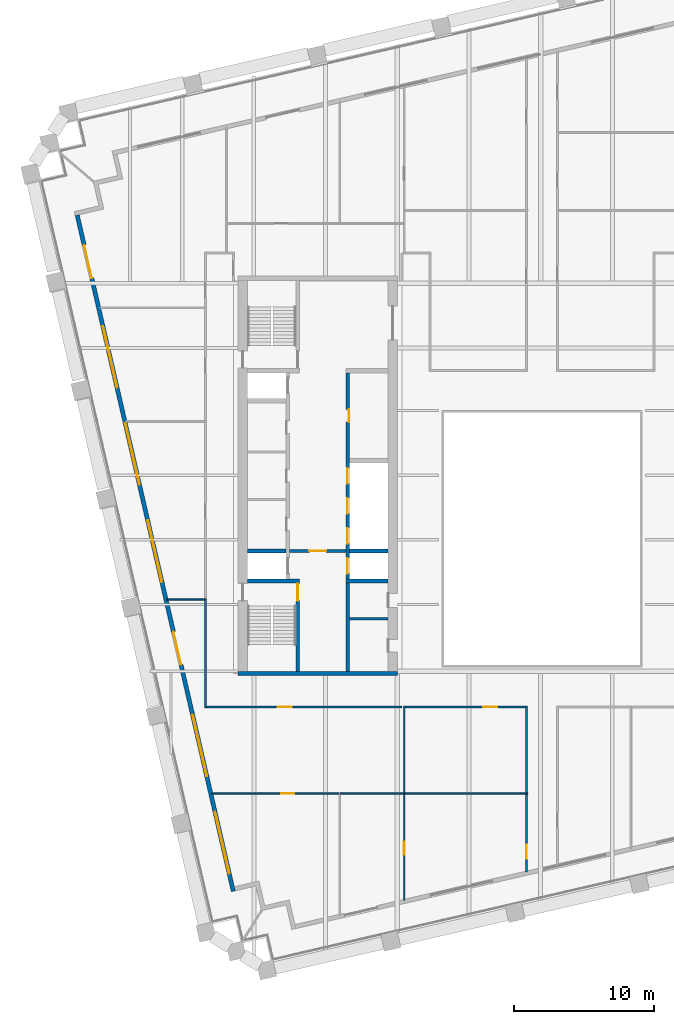
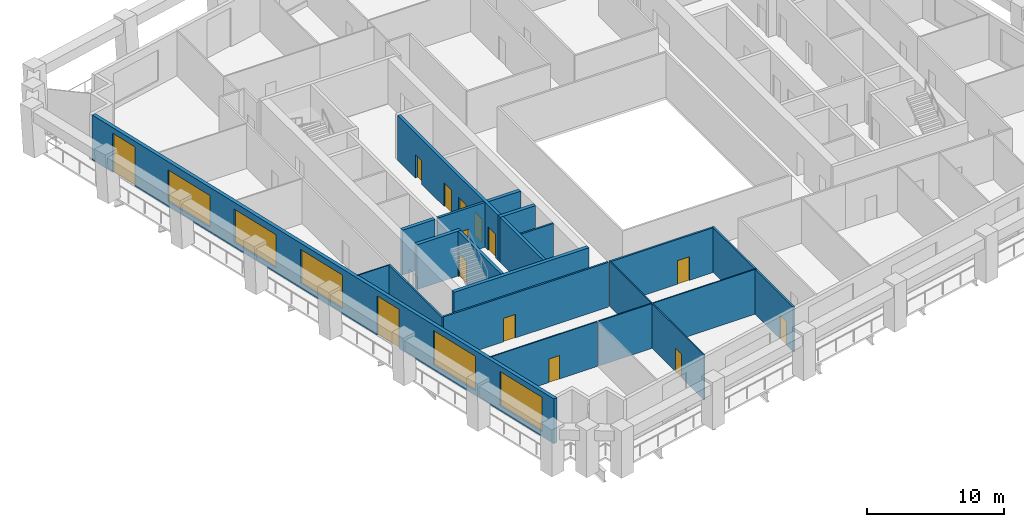
# One storey, part 4 of 11: 21 walls, 14 doors, 5 windows, 19 openings.
"""IFC4 building model written with IfcOpenShell, lengths in metres."""

from ifc_helpers import new_model, si_unit, direction, frame, frame_2d, origin, place, context, subcontext, project, spatial, rectangle, extrude, material, layer, layer_set, type_object, element, fill, save


model = new_model("IFC4")

# Units and contexts
model_context = context("Model", 3, precision=1e-05, world=origin(), true_north=direction((0.0, 1.0)))
body_context = subcontext(model_context, "Body", "Model", "MODEL_VIEW")
ifc_project = project(units=[si_unit("LENGTHUNIT", "METRE"), si_unit("AREAUNIT", "SQUARE_METRE"), si_unit("VOLUMEUNIT", "CUBIC_METRE"), si_unit("PLANEANGLEUNIT", "RADIAN"), si_unit("MASSUNIT", "GRAM", prefix="KILO")], contexts=[model_context])

# Site, building, storey
site_placement = place(None, origin())
site = spatial("IfcSite", under=ifc_project, at=site_placement, CompositionType="ELEMENT")
building_placement = place(site_placement, origin())
building = spatial("IfcBuilding", under=site, at=building_placement, Name="Ogive Exchange Tower", CompositionType="ELEMENT")
storey_placement = place(building_placement, frame((0.0, 0.0, 175.800048828125)))
storey = spatial("IfcBuildingStorey", under=building, at=storey_placement, Name="L38", CompositionType="ELEMENT", Elevation=175.800048828125)

# Walls
ifc_material_1 = material(Name="Gypsum board partition")
ifc_layer_1 = layer(ifc_material_1, 0.14990234375)
ifc_layer_set_1 = layer_set([ifc_layer_1], Name="Core room partition 150 gypsum")
wall_type_1 = type_object("IfcWallType", Name="Core room partition 150 gypsum", PredefinedType="PARTITIONING", material=ifc_layer_set_1)
wall_1_placement = place(storey_placement, frame((-13.75, 1.300048828125, 0.0), z_axis=(0.0, 0.0, 1.0), x_axis=(1.0, 0.0, 0.0)))
element("IfcWall", 1, at=wall_1_placement, inside=storey, type_object=wall_type_1, Name="W south room partition", PredefinedType="PARTITIONING", context=body_context, shape_type="SweptSolid", body=[
    extrude(rectangle(XDim=2.75, YDim=0.14990234375, at=frame_2d((1.375, 0.0))), origin(), (0.0, 0.0, 1.0), 4.0),
])
ifc_material_2 = material(Name="Fire partition EI 60 150")
ifc_layer_2 = layer(ifc_material_2, 0.14990234375)
ifc_layer_set_2 = layer_set([ifc_layer_2], Name="Fire partition EI 60 150")
wall_type_2 = type_object("IfcWallType", Name="Fire partition EI 60 150", PredefinedType="PARTITIONING", material=ifc_layer_set_2)
wall_2_placement = place(storey_placement, frame((-24.0, -5.074951171875, 0.0), z_axis=(0.0, 0.0, 1.0), x_axis=(0.0, 1.0, 0.0)))
element("IfcWall", 2, at=wall_2_placement, inside=storey, type_object=wall_type_2, Name="L38-PWL-001", PredefinedType="PARTITIONING", context=body_context, shape_type="SweptSolid", body=[
    extrude(rectangle(XDim=7.81494140625, YDim=0.14990234375, at=frame_2d((3.907470703125, 0.0))), origin(), (0.0, 0.0, 1.0), 4.0),
])

# Wall, opening, door
wall_3_placement = place(storey_placement, frame((-10.0, -5.0, 0.0), z_axis=(0.0, 0.0, 1.0), x_axis=(-1.0, 0.0, 0.0)))
wall_3 = element("IfcWall", 3, at=wall_3_placement, inside=storey, type_object=wall_type_2, Name="L38-PWL-018", PredefinedType="PARTITIONING", context=body_context, shape_type="SweptSolid", body=[
    extrude(rectangle(XDim=13.925048828125, YDim=0.14990234375, at=frame_2d((6.96240234375, 0.0))), origin(), (0.0, 0.0, 1.0), 4.0),
])
opening_1_placement = place(wall_3_placement, frame((7.85009765625, 0.0, 0.0)))
opening_1 = element("IfcOpeningElement", 4, at=opening_1_placement, cuts=wall_3, Name="Opening L38-I11", PredefinedType="OPENING", context=body_context, shape_type="SweptSolid", body=[
    extrude(rectangle(XDim=1.0, YDim=2.10009765625, at=frame_2d((0.5, 1.050048828125))), frame((0.0, 0.0849609375, 0.0), z_axis=(0.0, -1.0, 0.0), x_axis=(1.0, 0.0, 0.0)), (0.0, 0.0, 1.0), 0.169921875),
])
ifc_material_3 = material(Name="Fire door FD 30S 1000 x 2100")
door_type_1 = type_object("IfcDoorType", Name="Fire door FD 30S 1000 x 2100", OperationType="NOTDEFINED", PredefinedType="DOOR", material=ifc_material_3)
door_1_placement = place(opening_1_placement, origin())
door_1 = element("IfcDoor", 5, at=door_1_placement, inside=storey, type_object=door_type_1, Name="L38-IDR-011", ObjectType="DT3", OperationType="SINGLE_SWING_LEFT", OverallHeight=2.10009765625, OverallWidth=1.0, PredefinedType="DOOR", context=body_context, shape_type="SweptSolid", body=[
    extrude(rectangle(XDim=1.0, YDim=2.10009765625, at=frame_2d((0.5, 1.050048828125))), frame((0.0, 0.02490234375, 0.0), z_axis=(0.0, -1.0, 0.0), x_axis=(1.0, 0.0, 0.0)), (0.0, 0.0, 1.0), 0.050048828125),
])
fill(opening_1, door_1)

wall_4_placement = place(storey_placement, frame((-1.10009765625, -16.778076171875, 0.0), z_axis=(0.0, 0.0, 1.0), x_axis=(0.0, 1.0, 0.0)))
wall_4 = element("IfcWall", 6, at=wall_4_placement, inside=storey, type_object=wall_type_2, Name="L38-PWL-031", PredefinedType="PARTITIONING", context=body_context, shape_type="SweptSolid", body=[
    extrude(rectangle(XDim=5.55810546875, YDim=0.14990234375, at=frame_2d((2.779052734375, 0.0))), origin(), (0.0, 0.0, 1.0), 4.0),
])
opening_2_placement = place(wall_4_placement, frame((0.9580078125, 0.0, 0.0)))
opening_2 = element("IfcOpeningElement", 7, at=opening_2_placement, cuts=wall_4, Name="Opening L38-I01", PredefinedType="OPENING", context=body_context, shape_type="SweptSolid", body=[
    extrude(rectangle(XDim=1.0, YDim=2.10009765625, at=frame_2d((0.5, 1.050048828125))), frame((0.0, 0.0849609375, 0.0), z_axis=(0.0, -1.0, 0.0), x_axis=(1.0, 0.0, 0.0)), (0.0, 0.0, 1.0), 0.169921875),
])
door_2_placement = place(opening_2_placement, origin())
door_2 = element("IfcDoor", 8, at=door_2_placement, inside=storey, type_object=door_type_1, Name="L38-IDR-001", ObjectType="DT3", OperationType="SINGLE_SWING_RIGHT", OverallHeight=2.10009765625, OverallWidth=1.0, PredefinedType="DOOR", context=body_context, shape_type="SweptSolid", body=[
    extrude(rectangle(XDim=1.0, YDim=2.10009765625, at=frame_2d((0.5, 1.050048828125))), frame((0.0, 0.02490234375, 0.0), z_axis=(0.0, -1.0, 0.0), x_axis=(1.0, 0.0, 0.0)), (0.0, 0.0, 1.0), 0.050048828125),
])
fill(opening_2, door_2)

# Wall
wall_5_placement = place(storey_placement, frame((-1.10009765625, -11.1201171875, 0.0), z_axis=(0.0, 0.0, 1.0), x_axis=(0.0, 1.0, 0.0)))
element("IfcWall", 9, at=wall_5_placement, inside=storey, type_object=wall_type_2, Name="L38-PWL-032", PredefinedType="PARTITIONING", context=body_context, shape_type="SweptSolid", body=[
    extrude(rectangle(XDim=6.195068359375, YDim=0.14990234375, at=frame_2d((3.09765625, 0.0))), origin(), (0.0, 0.0, 1.0), 4.0),
])

# Wall, opening, door
wall_6_placement = place(storey_placement, frame((-1.175048828125, -5.0, 0.0), z_axis=(0.0, 0.0, 1.0), x_axis=(-1.0, 0.0, 0.0)))
wall_6 = element("IfcWall", 10, at=wall_6_placement, inside=storey, type_object=wall_type_2, Name="L38-PWL-033", PredefinedType="PARTITIONING", context=body_context, shape_type="SweptSolid", body=[
    extrude(rectangle(XDim=8.60498046875, YDim=0.14990234375, at=frame_2d((4.302490234375, 0.0))), origin(), (0.0, 0.0, 1.0), 4.0),
])
opening_3_placement = place(wall_6_placement, frame((2.0048828125, 0.0, 0.0)))
opening_3 = element("IfcOpeningElement", 11, at=opening_3_placement, cuts=wall_6, Name="Opening L38-I02", PredefinedType="OPENING", context=body_context, shape_type="SweptSolid", body=[
    extrude(rectangle(XDim=1.0, YDim=2.10009765625, at=frame_2d((0.5, 1.050048828125))), frame((0.0, 0.0849609375, 0.0), z_axis=(0.0, -1.0, 0.0), x_axis=(1.0, 0.0, 0.0)), (0.0, 0.0, 1.0), 0.169921875),
])
door_3_placement = place(opening_3_placement, origin())
door_3 = element("IfcDoor", 12, at=door_3_placement, inside=storey, type_object=door_type_1, Name="L38-IDR-002", ObjectType="DT3", OperationType="SINGLE_SWING_RIGHT", OverallHeight=2.10009765625, OverallWidth=1.0, PredefinedType="DOOR", context=body_context, shape_type="SweptSolid", body=[
    extrude(rectangle(XDim=1.0, YDim=2.10009765625, at=frame_2d((0.5, 1.050048828125))), frame((0.0, 0.02490234375, 0.0), z_axis=(0.0, -1.0, 0.0), x_axis=(1.0, 0.0, 0.0)), (0.0, 0.0, 1.0), 0.050048828125),
])
fill(opening_3, door_3)

# Wall, openings, doors, windows
ifc_material_4 = material(Name="Precast concrete C40/50", Category="concrete")
ifc_layer_3 = layer(ifc_material_4, 0.300048828125)
ifc_layer_set_3 = layer_set([ifc_layer_3], Name="Limestone-faced wall 300")
wall_type_3 = type_object("IfcWallType", Name="Limestone-faced wall 300", PredefinedType="STANDARD", material=ifc_layer_set_3)
wall_7_placement = place(storey_placement, frame((-33.1572265625, 30.092041015625, 0.0), z_axis=(0.0, 0.0, 1.0), x_axis=(0.224950279389, -0.974370243697, 0.0)))
wall_7 = element("IfcWall", 13, at=wall_7_placement, inside=storey, type_object=wall_type_3, Name="External wall W4", PredefinedType="STANDARD", context=body_context, shape_type="SweptSolid", body=[
    extrude(rectangle(XDim=49.499755859375, YDim=0.300048828125, at=frame_2d((24.75, 0.0))), origin(), (0.0, 0.0, 1.0), 4.0),
])
opening_4_placement = place(wall_7_placement, frame((2.20703125, 0.0, 0.0)))
opening_4 = element("IfcOpeningElement", 14, at=opening_4_placement, cuts=wall_7, Name="Opening D1", PredefinedType="OPENING", context=body_context, shape_type="SweptSolid", body=[
    extrude(rectangle(XDim=2.39990234375, YDim=3.5, at=frame_2d((1.199951171875, 1.75))), frame((0.0, 0.159912109375, 0.0), z_axis=(0.0, -1.0, 0.0), x_axis=(1.0, 0.0, 0.0)), (0.0, 0.0, 1.0), 0.320068359375),
])
opening_5_placement = place(wall_7_placement, frame((8.121337890625, 0.0, 0.449951171875)))
opening_5 = element("IfcOpeningElement", 15, at=opening_5_placement, cuts=wall_7, Name="Opening W1E", PredefinedType="OPENING", context=body_context, shape_type="SweptSolid", body=[
    extrude(rectangle(XDim=4.5, YDim=2.824951171875, at=frame_2d((2.25, 1.41259765625))), frame((0.0, 0.159912109375, 0.0), z_axis=(0.0, -1.0, 0.0), x_axis=(1.0, 0.0, 0.0)), (0.0, 0.0, 1.0), 0.320068359375),
])
opening_6_placement = place(wall_7_placement, frame((15.235595703125, 0.0, 0.449951171875)))
opening_6 = element("IfcOpeningElement", 16, at=opening_6_placement, cuts=wall_7, Name="Opening W1B", PredefinedType="OPENING", context=body_context, shape_type="SweptSolid", body=[
    extrude(rectangle(XDim=4.5, YDim=2.949951171875, at=frame_2d((2.25, 1.47509765625))), frame((0.0, 0.159912109375, 0.0), z_axis=(0.0, -1.0, 0.0), x_axis=(1.0, 0.0, 0.0)), (0.0, 0.0, 1.0), 0.320068359375),
])
opening_7_placement = place(wall_7_placement, frame((22.35009765625, 0.0, 0.449951171875)))
opening_7 = element("IfcOpeningElement", 17, at=opening_7_placement, cuts=wall_7, Name="Opening W1A", PredefinedType="OPENING", context=body_context, shape_type="SweptSolid", body=[
    extrude(rectangle(XDim=4.5, YDim=3.0, at=frame_2d((2.25, 1.5))), frame((0.0, 0.159912109375, 0.0), z_axis=(0.0, -1.0, 0.0), x_axis=(1.0, 0.0, 0.0)), (0.0, 0.0, 1.0), 0.320068359375),
])
opening_8_placement = place(wall_7_placement, frame((30.51416015625, 0.0, 0.0)))
opening_8 = element("IfcOpeningElement", 18, at=opening_8_placement, cuts=wall_7, Name="Opening D1", PredefinedType="OPENING", context=body_context, shape_type="SweptSolid", body=[
    extrude(rectangle(XDim=2.39990234375, YDim=3.5, at=frame_2d((1.199951171875, 1.75))), frame((0.0, 0.159912109375, 0.0), z_axis=(0.0, -1.0, 0.0), x_axis=(1.0, 0.0, 0.0)), (0.0, 0.0, 1.0), 0.320068359375),
])
opening_9_placement = place(wall_7_placement, frame((36.57861328125, 0.0, 0.449951171875)))
opening_9 = element("IfcOpeningElement", 19, at=opening_9_placement, cuts=wall_7, Name="Opening W1", PredefinedType="OPENING", context=body_context, shape_type="SweptSolid", body=[
    extrude(rectangle(XDim=4.5, YDim=3.050048828125, at=frame_2d((2.25, 1.52490234375))), frame((0.0, 0.159912109375, 0.0), z_axis=(0.0, -1.0, 0.0), x_axis=(1.0, 0.0, 0.0)), (0.0, 0.0, 1.0), 0.320068359375),
])
opening_10_placement = place(wall_7_placement, frame((43.69287109375, 0.0, 0.449951171875)))
opening_10 = element("IfcOpeningElement", 20, at=opening_10_placement, cuts=wall_7, Name="Opening W1", PredefinedType="OPENING", context=body_context, shape_type="SweptSolid", body=[
    extrude(rectangle(XDim=4.5, YDim=3.050048828125, at=frame_2d((2.25, 1.52490234375))), frame((0.0, 0.159912109375, 0.0), z_axis=(0.0, -1.0, 0.0), x_axis=(1.0, 0.0, 0.0)), (0.0, 0.0, 1.0), 0.320068359375),
])
ifc_material_5 = material(Name="Clear glass in bronze frame", Category="glass")
door_type_2 = type_object("IfcDoorType", Name="Sliding loggia door 2400 x 3500", OperationType="DOUBLE_DOOR_SLIDING", PredefinedType="DOOR", material=ifc_material_5)
door_4_placement = place(opening_4_placement, origin())
door_4 = element("IfcDoor", 21, at=door_4_placement, inside=storey, type_object=door_type_2, Name="Loggia door W00", OperationType="DOUBLE_DOOR_SLIDING", OverallHeight=3.5, OverallWidth=2.39990234375, PredefinedType="DOOR", context=body_context, shape_type="SweptSolid", body=[
    extrude(rectangle(XDim=2.39990234375, YDim=3.5, at=frame_2d((1.199951171875, 1.75))), frame((0.0, 0.02490234375, 0.0), z_axis=(0.0, -1.0, 0.0), x_axis=(1.0, 0.0, 0.0)), (0.0, 0.0, 1.0), 0.050048828125),
])
fill(opening_4, door_4)
door_5_placement = place(opening_8_placement, origin())
door_5 = element("IfcDoor", 22, at=door_5_placement, inside=storey, type_object=door_type_2, Name="Loggia door W04", OperationType="DOUBLE_DOOR_SLIDING", OverallHeight=3.5, OverallWidth=2.39990234375, PredefinedType="DOOR", context=body_context, shape_type="SweptSolid", body=[
    extrude(rectangle(XDim=2.39990234375, YDim=3.5, at=frame_2d((1.199951171875, 1.75))), frame((0.0, 0.02490234375, 0.0), z_axis=(0.0, -1.0, 0.0), x_axis=(1.0, 0.0, 0.0)), (0.0, 0.0, 1.0), 0.050048828125),
])
fill(opening_8, door_5)
window_type_1 = type_object("IfcWindowType", Name="Twin lancet window 4500 x 2825", PartitioningType="DOUBLE_PANEL_VERTICAL", PredefinedType="WINDOW", material=ifc_material_5)
window_1_placement = place(opening_5_placement, origin())
window_1 = element("IfcWindow", 23, at=window_1_placement, inside=storey, type_object=window_type_1, Name="Window W01", OverallHeight=2.824951171875, OverallWidth=4.5, PartitioningType="DOUBLE_PANEL_VERTICAL", PredefinedType="WINDOW", context=body_context, shape_type="SweptSolid", body=[
    extrude(rectangle(XDim=4.5, YDim=2.824951171875, at=frame_2d((2.25, 1.41259765625))), frame((0.0, 0.030029296875, 0.0), z_axis=(0.0, -1.0, 0.0), x_axis=(1.0, 0.0, 0.0)), (0.0, 0.0, 1.0), 0.06005859375),
])
fill(opening_5, window_1)
window_type_2 = type_object("IfcWindowType", Name="Twin lancet window 4500 x 2950", PartitioningType="DOUBLE_PANEL_VERTICAL", PredefinedType="WINDOW", material=ifc_material_5)
window_2_placement = place(opening_6_placement, origin())
window_2 = element("IfcWindow", 24, at=window_2_placement, inside=storey, type_object=window_type_2, Name="Window W02", OverallHeight=2.949951171875, OverallWidth=4.5, PartitioningType="DOUBLE_PANEL_VERTICAL", PredefinedType="WINDOW", context=body_context, shape_type="SweptSolid", body=[
    extrude(rectangle(XDim=4.5, YDim=2.949951171875, at=frame_2d((2.25, 1.47509765625))), frame((0.0, 0.030029296875, 0.0), z_axis=(0.0, -1.0, 0.0), x_axis=(1.0, 0.0, 0.0)), (0.0, 0.0, 1.0), 0.06005859375),
])
fill(opening_6, window_2)
window_type_3 = type_object("IfcWindowType", Name="Twin lancet window 4500 x 3000", PartitioningType="DOUBLE_PANEL_VERTICAL", PredefinedType="WINDOW", material=ifc_material_5)
window_3_placement = place(opening_7_placement, origin())
window_3 = element("IfcWindow", 25, at=window_3_placement, inside=storey, type_object=window_type_3, Name="Window W03", OverallHeight=3.0, OverallWidth=4.5, PartitioningType="DOUBLE_PANEL_VERTICAL", PredefinedType="WINDOW", context=body_context, shape_type="SweptSolid", body=[
    extrude(rectangle(XDim=4.5, YDim=3.0, at=frame_2d((2.25, 1.5))), frame((0.0, 0.030029296875, 0.0), z_axis=(0.0, -1.0, 0.0), x_axis=(1.0, 0.0, 0.0)), (0.0, 0.0, 1.0), 0.06005859375),
])
fill(opening_7, window_3)
window_type_4 = type_object("IfcWindowType", Name="Twin lancet window 4500 x 3050", PartitioningType="DOUBLE_PANEL_VERTICAL", PredefinedType="WINDOW", material=ifc_material_5)
window_4_placement = place(opening_9_placement, origin())
window_4 = element("IfcWindow", 26, at=window_4_placement, inside=storey, type_object=window_type_4, Name="Window W05", OverallHeight=3.050048828125, OverallWidth=4.5, PartitioningType="DOUBLE_PANEL_VERTICAL", PredefinedType="WINDOW", context=body_context, shape_type="SweptSolid", body=[
    extrude(rectangle(XDim=4.5, YDim=3.050048828125, at=frame_2d((2.25, 1.52490234375))), frame((0.0, 0.030029296875, 0.0), z_axis=(0.0, -1.0, 0.0), x_axis=(1.0, 0.0, 0.0)), (0.0, 0.0, 1.0), 0.06005859375),
])
fill(opening_9, window_4)
window_5_placement = place(opening_10_placement, origin())
window_5 = element("IfcWindow", 27, at=window_5_placement, inside=storey, type_object=window_type_4, Name="Window W06", OverallHeight=3.050048828125, OverallWidth=4.5, PartitioningType="DOUBLE_PANEL_VERTICAL", PredefinedType="WINDOW", context=body_context, shape_type="SweptSolid", body=[
    extrude(rectangle(XDim=4.5, YDim=3.050048828125, at=frame_2d((2.25, 1.52490234375))), frame((0.0, 0.030029296875, 0.0), z_axis=(0.0, -1.0, 0.0), x_axis=(1.0, 0.0, 0.0)), (0.0, 0.0, 1.0), 0.06005859375),
])
fill(opening_10, window_5)

# Wall
ifc_material_6 = material(Name="Partition 100 gypsum")
ifc_layer_4 = layer(ifc_material_6, 0.10009765625)
ifc_layer_set_4 = layer_set([ifc_layer_4], Name="Partition 100 gypsum")
wall_type_4 = type_object("IfcWallType", Name="Partition 100 gypsum", PredefinedType="PARTITIONING", material=ifc_layer_set_4)
wall_8_placement = place(storey_placement, frame((-24.074951171875, 2.68994140625, 0.0), z_axis=(0.0, 0.0, 1.0), x_axis=(-1.0, 0.0, 0.0)))
element("IfcWall", 28, at=wall_8_placement, inside=storey, type_object=wall_type_4, Name="L38-PWL-002", PredefinedType="PARTITIONING", context=body_context, shape_type="SweptSolid", body=[
    extrude(rectangle(XDim=2.68505859375, YDim=0.10009765625, at=frame_2d((1.342529296875, 0.0))), origin(), (0.0, 0.0, 1.0), 4.0),
])

# Wall, opening, door
wall_9_placement = place(storey_placement, frame((-14.47998046875, -11.169921875, 0.0), z_axis=(0.0, 0.0, 1.0), x_axis=(-1.0, 0.0, 0.0)))
wall_9 = element("IfcWall", 29, at=wall_9_placement, inside=storey, type_object=wall_type_4, Name="L38-PWL-015", PredefinedType="PARTITIONING", context=body_context, shape_type="SweptSolid", body=[
    extrude(rectangle(XDim=9.080078125, YDim=0.10009765625, at=frame_2d((4.5400390625, 0.0))), origin(), (0.0, 0.0, 1.0), 4.0),
])
opening_11_placement = place(wall_9_placement, frame((3.2099609375, 0.0, 0.0)))
opening_11 = element("IfcOpeningElement", 30, at=opening_11_placement, cuts=wall_9, Name="Opening L38-I13", PredefinedType="OPENING", context=body_context, shape_type="SweptSolid", body=[
    extrude(rectangle(XDim=0.89990234375, YDim=2.10009765625, at=frame_2d((0.449951171875, 1.050048828125))), frame((0.0, 0.06005859375, 0.0), z_axis=(0.0, -1.0, 0.0), x_axis=(1.0, 0.0, 0.0)), (0.0, 0.0, 1.0), 0.1201171875),
])
ifc_material_7 = material(Name="Door 900 x 2100")
door_type_3 = type_object("IfcDoorType", Name="Door 900 x 2100", OperationType="NOTDEFINED", PredefinedType="DOOR", material=ifc_material_7)
door_6_placement = place(opening_11_placement, origin())
door_6 = element("IfcDoor", 31, at=door_6_placement, inside=storey, type_object=door_type_3, Name="L38-IDR-013", ObjectType="DT1", OperationType="SINGLE_SWING_RIGHT", OverallHeight=2.10009765625, OverallWidth=0.89990234375, PredefinedType="DOOR", context=body_context, shape_type="SweptSolid", body=[
    extrude(rectangle(XDim=0.89990234375, YDim=2.10009765625, at=frame_2d((0.449951171875, 1.050048828125))), frame((0.0, 0.02490234375, 0.0), z_axis=(0.0, -1.0, 0.0), x_axis=(1.0, 0.0, 0.0)), (0.0, 0.0, 1.0), 0.050048828125),
])
fill(opening_11, door_6)

wall_10_placement = place(storey_placement, frame((-9.830078125, -18.7939453125, 0.0), z_axis=(0.0, 0.0, 1.0), x_axis=(0.0, 1.0, 0.0)))
wall_10 = element("IfcWall", 32, at=wall_10_placement, inside=storey, type_object=wall_type_4, Name="L38-PWL-020", PredefinedType="PARTITIONING", context=body_context, shape_type="SweptSolid", body=[
    extrude(rectangle(XDim=7.673828125, YDim=0.10009765625, at=frame_2d((3.8369140625, 0.0))), origin(), (0.0, 0.0, 1.0), 4.0),
])
opening_12_placement = place(wall_10_placement, frame((3.27392578125, 0.0, 0.0)))
opening_12 = element("IfcOpeningElement", 33, at=opening_12_placement, cuts=wall_10, Name="Opening L38-I12", PredefinedType="OPENING", context=body_context, shape_type="SweptSolid", body=[
    extrude(rectangle(XDim=0.89990234375, YDim=2.10009765625, at=frame_2d((0.449951171875, 1.050048828125))), frame((0.0, 0.06005859375, 0.0), z_axis=(0.0, -1.0, 0.0), x_axis=(1.0, 0.0, 0.0)), (0.0, 0.0, 1.0), 0.1201171875),
])
door_7_placement = place(opening_12_placement, origin())
door_7 = element("IfcDoor", 34, at=door_7_placement, inside=storey, type_object=door_type_3, Name="L38-IDR-012", ObjectType="DT1", OperationType="SINGLE_SWING_LEFT", OverallHeight=2.10009765625, OverallWidth=0.89990234375, PredefinedType="DOOR", context=body_context, shape_type="SweptSolid", body=[
    extrude(rectangle(XDim=0.89990234375, YDim=2.10009765625, at=frame_2d((0.449951171875, 1.050048828125))), frame((0.0, 0.02490234375, 0.0), z_axis=(0.0, -1.0, 0.0), x_axis=(1.0, 0.0, 0.0)), (0.0, 0.0, 1.0), 0.050048828125),
])
fill(opening_12, door_7)

# Walls
wall_11_placement = place(storey_placement, frame((-9.8798828125, -11.169921875, 0.0), z_axis=(0.0, 0.0, 1.0), x_axis=(-1.0, 0.0, 0.0)))
element("IfcWall", 35, at=wall_11_placement, inside=storey, type_object=wall_type_4, Name="L38-PWL-021", PredefinedType="PARTITIONING", context=body_context, shape_type="SweptSolid", body=[
    extrude(rectangle(XDim=4.5, YDim=0.10009765625, at=frame_2d((2.25, 0.0))), origin(), (0.0, 0.0, 1.0), 4.0),
])
wall_12_placement = place(storey_placement, frame((-9.830078125, -11.1201171875, 0.0), z_axis=(0.0, 0.0, 1.0), x_axis=(0.0, 1.0, 0.0)))
element("IfcWall", 36, at=wall_12_placement, inside=storey, type_object=wall_type_4, Name="L38-PWL-022", PredefinedType="PARTITIONING", context=body_context, shape_type="SweptSolid", body=[
    extrude(rectangle(XDim=6.195068359375, YDim=0.10009765625, at=frame_2d((3.09765625, 0.0))), origin(), (0.0, 0.0, 1.0), 4.0),
])
wall_13_placement = place(storey_placement, frame((-9.780029296875, -11.169921875, 0.0), z_axis=(0.0, 0.0, 1.0), x_axis=(1.0, 0.0, 0.0)))
element("IfcWall", 37, at=wall_13_placement, inside=storey, type_object=wall_type_4, Name="L38-PWL-023", PredefinedType="PARTITIONING", context=body_context, shape_type="SweptSolid", body=[
    extrude(rectangle(XDim=8.755126953125, YDim=0.10009765625, at=frame_2d((4.37744140625, 0.0))), origin(), (0.0, 0.0, 1.0), 4.0),
])

# Wall, opening, door
ifc_material_8 = material(Name="Concrete C70/85", Category="concrete")
ifc_layer_5 = layer(ifc_material_8, 0.199951171875)
ifc_layer_set_5 = layer_set([ifc_layer_5], Name="RC core wall 200 C70/85")
wall_type_5 = type_object("IfcWallType", Name="RC core wall 200 C70/85", PredefinedType="SHEAR", material=ifc_layer_set_5)
wall_14_placement = place(storey_placement, frame((-18.0, 6.142822265625, 0.0), z_axis=(0.0, 0.0, 1.0), x_axis=(1.0, 0.0, 0.0)))
wall_14 = element("IfcWall", 38, at=wall_14_placement, inside=storey, type_object=wall_type_5, Name="W firefighting lobby wall", PredefinedType="SHEAR", context=body_context, shape_type="SweptSolid", body=[
    extrude(rectangle(XDim=4.0, YDim=0.199951171875, at=frame_2d((2.0, 0.0))), origin(), (0.0, 0.0, 1.0), 4.0),
])
opening_13_placement = place(wall_14_placement, frame((1.39990234375, 0.0, 0.0)))
opening_13 = element("IfcOpeningElement", 39, at=opening_13_placement, cuts=wall_14, Name="Opening L38-C11", PredefinedType="OPENING", context=body_context, shape_type="SweptSolid", body=[
    extrude(rectangle(XDim=1.199951171875, YDim=2.10009765625, at=frame_2d((0.60009765625, 1.050048828125))), frame((0.0, 0.10986328125, 0.0), z_axis=(0.0, -1.0, 0.0), x_axis=(1.0, 0.0, 0.0)), (0.0, 0.0, 1.0), 0.219970703125),
])
ifc_material_9 = material(Name="Steel fire door", Category="steel")
door_type_4 = type_object("IfcDoorType", Name="Firefighting lobby door FD60 1200 x 2100", OperationType="NOTDEFINED", PredefinedType="DOOR", material=ifc_material_9)
door_8_placement = place(opening_13_placement, frame((1.199951171875, 0.0, 0.0), z_axis=(0.0, 0.0, 1.0), x_axis=(-1.0, 0.0, 0.0)))
door_8 = element("IfcDoor", 40, at=door_8_placement, inside=storey, type_object=door_type_4, Name="Firefighting lobby door", ObjectType="CD3", OperationType="SINGLE_SWING_RIGHT", OverallHeight=2.10009765625, OverallWidth=1.199951171875, PredefinedType="DOOR", context=body_context, shape_type="SweptSolid", body=[
    extrude(rectangle(XDim=1.199951171875, YDim=2.10009765625, at=frame_2d((0.60009765625, 1.050048828125))), frame((0.0, 0.02490234375, 0.0), z_axis=(0.0, -1.0, 0.0), x_axis=(1.0, 0.0, 0.0)), (0.0, 0.0, 1.0), 0.050048828125),
])
fill(opening_13, door_8)

ifc_layer_6 = layer(ifc_material_8, 0.25)
ifc_layer_set_6 = layer_set([ifc_layer_6], Name="RC core wall 250 C70/85")
wall_type_6 = type_object("IfcWallType", Name="RC core wall 250 C70/85", PredefinedType="SHEAR", material=ifc_layer_set_6)
wall_15_placement = place(storey_placement, frame((-17.425048828125, -2.449951171875, 0.0), z_axis=(0.0, 0.0, 1.0), x_axis=(0.0, 1.0, 0.0)))
wall_15 = element("IfcWall", 41, at=wall_15_placement, inside=storey, type_object=wall_type_6, Name="W stair S front wall", PredefinedType="SHEAR", context=body_context, shape_type="SweptSolid", body=[
    extrude(rectangle(XDim=6.300048828125, YDim=0.25, at=frame_2d((3.14990234375, 0.0))), origin(), (0.0, 0.0, 1.0), 4.0),
])
opening_14_placement = place(wall_15_placement, frame((5.050048828125, 0.0, 0.0)))
opening_14 = element("IfcOpeningElement", 42, at=opening_14_placement, cuts=wall_15, Name="Opening L38-C13", PredefinedType="OPENING", context=body_context, shape_type="SweptSolid", body=[
    extrude(rectangle(XDim=1.199951171875, YDim=2.10009765625, at=frame_2d((0.60009765625, 1.050048828125))), frame((0.0, 0.135009765625, 0.0), z_axis=(0.0, -1.0, 0.0), x_axis=(1.0, 0.0, 0.0)), (0.0, 0.0, 1.0), 0.27001953125),
])
door_type_5 = type_object("IfcDoorType", Name="Stair door FD90 1200 x 2100", OperationType="NOTDEFINED", PredefinedType="DOOR", material=ifc_material_9)
door_9_placement = place(opening_14_placement, origin())
door_9 = element("IfcDoor", 43, at=door_9_placement, inside=storey, type_object=door_type_5, Name="Stair door", ObjectType="CD5", OperationType="SINGLE_SWING_LEFT", OverallHeight=2.10009765625, OverallWidth=1.199951171875, PredefinedType="DOOR", context=body_context, shape_type="SweptSolid", body=[
    extrude(rectangle(XDim=1.199951171875, YDim=2.10009765625, at=frame_2d((0.60009765625, 1.050048828125))), frame((0.0, 0.02490234375, 0.0), z_axis=(0.0, -1.0, 0.0), x_axis=(1.0, 0.0, 0.0)), (0.0, 0.0, 1.0), 0.050048828125),
])
fill(opening_14, door_9)

# Wall, openings, doors
wall_16_placement = place(storey_placement, frame((-13.875, -2.449951171875, 0.0), z_axis=(0.0, 0.0, 1.0), x_axis=(0.0, 1.0, 0.0)))
wall_16 = element("IfcWall", 44, at=wall_16_placement, inside=storey, type_object=wall_type_6, Name="W row B front wall", PredefinedType="SHEAR", context=body_context, shape_type="SweptSolid", body=[
    extrude(rectangle(XDim=21.300048828125, YDim=0.25, at=frame_2d((10.64990234375, 0.0))), origin(), (0.0, 0.0, 1.0), 4.0),
])
opening_15_placement = place(wall_16_placement, frame((17.78564453125, 0.0, 0.0)))
opening_15 = element("IfcOpeningElement", 45, at=opening_15_placement, cuts=wall_16, Name="Opening L38-C06", PredefinedType="OPENING", context=body_context, shape_type="SweptSolid", body=[
    extrude(rectangle(XDim=0.89990234375, YDim=2.10009765625, at=frame_2d((0.449951171875, 1.050048828125))), frame((0.0, 0.135009765625, 0.0), z_axis=(0.0, -1.0, 0.0), x_axis=(1.0, 0.0, 0.0)), (0.0, 0.0, 1.0), 0.27001953125),
])
opening_16_placement = place(wall_16_placement, frame((6.971435546875, 0.0, 0.0)))
opening_16 = element("IfcOpeningElement", 46, at=opening_16_placement, cuts=wall_16, Name="Opening L38-C07", PredefinedType="OPENING", context=body_context, shape_type="SweptSolid", body=[
    extrude(rectangle(XDim=1.10009765625, YDim=2.10009765625, at=frame_2d((0.550048828125, 1.050048828125))), frame((0.0, 0.135009765625, 0.0), z_axis=(0.0, -1.0, 0.0), x_axis=(1.0, 0.0, 0.0)), (0.0, 0.0, 1.0), 0.27001953125),
])
opening_17_placement = place(wall_16_placement, frame((9.1142578125, 0.0, 0.0)))
opening_17 = element("IfcOpeningElement", 47, at=opening_17_placement, cuts=wall_16, Name="Opening L38-C08", PredefinedType="OPENING", context=body_context, shape_type="SweptSolid", body=[
    extrude(rectangle(XDim=1.10009765625, YDim=2.10009765625, at=frame_2d((0.550048828125, 1.050048828125))), frame((0.0, 0.135009765625, 0.0), z_axis=(0.0, -1.0, 0.0), x_axis=(1.0, 0.0, 0.0)), (0.0, 0.0, 1.0), 0.27001953125),
])
opening_18_placement = place(wall_16_placement, frame((11.257080078125, 0.0, 0.0)))
opening_18 = element("IfcOpeningElement", 48, at=opening_18_placement, cuts=wall_16, Name="Opening L38-C09", PredefinedType="OPENING", context=body_context, shape_type="SweptSolid", body=[
    extrude(rectangle(XDim=1.10009765625, YDim=2.10009765625, at=frame_2d((0.550048828125, 1.050048828125))), frame((0.0, 0.135009765625, 0.0), z_axis=(0.0, -1.0, 0.0), x_axis=(1.0, 0.0, 0.0)), (0.0, 0.0, 1.0), 0.27001953125),
])
opening_19_placement = place(wall_16_placement, frame((13.39990234375, 0.0, 0.0)))
opening_19 = element("IfcOpeningElement", 49, at=opening_19_placement, cuts=wall_16, Name="Opening L38-C10", PredefinedType="OPENING", context=body_context, shape_type="SweptSolid", body=[
    extrude(rectangle(XDim=1.10009765625, YDim=2.10009765625, at=frame_2d((0.550048828125, 1.050048828125))), frame((0.0, 0.135009765625, 0.0), z_axis=(0.0, -1.0, 0.0), x_axis=(1.0, 0.0, 0.0)), (0.0, 0.0, 1.0), 0.27001953125),
])
ifc_material_10 = material(Name="Stainless steel", Category="steel")
door_type_6 = type_object("IfcDoorType", Name="Lift landing door FD90 1100 x 2100", OperationType="SLIDING_TO_LEFT", PredefinedType="DOOR", material=ifc_material_10)
door_10_placement = place(opening_16_placement, origin())
door_10 = element("IfcDoor", 50, at=door_10_placement, inside=storey, type_object=door_type_6, Name="Lift landing door SV1", ObjectType="LD", OperationType="SLIDING_TO_LEFT", OverallHeight=2.10009765625, OverallWidth=1.10009765625, PredefinedType="DOOR", context=body_context, shape_type="SweptSolid", body=[
    extrude(rectangle(XDim=1.10009765625, YDim=2.10009765625, at=frame_2d((0.550048828125, 1.050048828125))), frame((0.0, 0.02490234375, 0.0), z_axis=(0.0, -1.0, 0.0), x_axis=(1.0, 0.0, 0.0)), (0.0, 0.0, 1.0), 0.050048828125),
])
fill(opening_16, door_10)
door_11_placement = place(opening_17_placement, origin())
door_11 = element("IfcDoor", 51, at=door_11_placement, inside=storey, type_object=door_type_6, Name="Lift landing door W-M1", ObjectType="LD", OperationType="SLIDING_TO_LEFT", OverallHeight=2.10009765625, OverallWidth=1.10009765625, PredefinedType="DOOR", context=body_context, shape_type="SweptSolid", body=[
    extrude(rectangle(XDim=1.10009765625, YDim=2.10009765625, at=frame_2d((0.550048828125, 1.050048828125))), frame((0.0, 0.02490234375, 0.0), z_axis=(0.0, -1.0, 0.0), x_axis=(1.0, 0.0, 0.0)), (0.0, 0.0, 1.0), 0.050048828125),
])
fill(opening_17, door_11)
door_12_placement = place(opening_18_placement, origin())
door_12 = element("IfcDoor", 52, at=door_12_placement, inside=storey, type_object=door_type_6, Name="Lift landing door W-M2", ObjectType="LD", OperationType="SLIDING_TO_LEFT", OverallHeight=2.10009765625, OverallWidth=1.10009765625, PredefinedType="DOOR", context=body_context, shape_type="SweptSolid", body=[
    extrude(rectangle(XDim=1.10009765625, YDim=2.10009765625, at=frame_2d((0.550048828125, 1.050048828125))), frame((0.0, 0.02490234375, 0.0), z_axis=(0.0, -1.0, 0.0), x_axis=(1.0, 0.0, 0.0)), (0.0, 0.0, 1.0), 0.050048828125),
])
fill(opening_18, door_12)
door_13_placement = place(opening_19_placement, origin())
door_13 = element("IfcDoor", 53, at=door_13_placement, inside=storey, type_object=door_type_6, Name="Lift landing door W-M3", ObjectType="LD", OperationType="SLIDING_TO_LEFT", OverallHeight=2.10009765625, OverallWidth=1.10009765625, PredefinedType="DOOR", context=body_context, shape_type="SweptSolid", body=[
    extrude(rectangle(XDim=1.10009765625, YDim=2.10009765625, at=frame_2d((0.550048828125, 1.050048828125))), frame((0.0, 0.02490234375, 0.0), z_axis=(0.0, -1.0, 0.0), x_axis=(1.0, 0.0, 0.0)), (0.0, 0.0, 1.0), 0.050048828125),
])
fill(opening_19, door_13)
door_type_7 = type_object("IfcDoorType", Name="Riser door FD60 900 x 2100", OperationType="NOTDEFINED", PredefinedType="DOOR", material=ifc_material_9)
door_14_placement = place(opening_15_placement, frame((0.89990234375, -0.2001953125, 0.0), z_axis=(0.0, 0.0, 1.0), x_axis=(-1.0, 0.0, 0.0)))
door_14 = element("IfcDoor", 54, at=door_14_placement, inside=storey, type_object=door_type_7, Name="Riser door", ObjectType="CD2", OperationType="SINGLE_SWING_RIGHT", OverallHeight=2.10009765625, OverallWidth=0.89990234375, PredefinedType="DOOR", context=body_context, shape_type="SweptSolid", body=[
    extrude(rectangle(XDim=0.89990234375, YDim=2.10009765625, at=frame_2d((0.449951171875, 1.050048828125))), frame((0.0, -0.0751953125, 0.0), z_axis=(0.0, -1.0, 0.0), x_axis=(1.0, 0.0, 0.0)), (0.0, 0.0, 1.0), 0.050048828125),
])
fill(opening_15, door_14)

# Walls
ifc_layer_7 = layer(ifc_material_8, 0.300048828125)
ifc_layer_set_7 = layer_set([ifc_layer_7], Name="RC core wall 300 C70/85")
wall_type_7 = type_object("IfcWallType", Name="RC core wall 300 C70/85", PredefinedType="SHEAR", material=ifc_layer_set_7)
wall_17_placement = place(storey_placement, frame((-21.699951171875, -2.60009765625, 0.0), z_axis=(0.0, 0.0, 1.0), x_axis=(1.0, 0.0, 0.0)))
element("IfcWall", 55, at=wall_17_placement, inside=storey, type_object=wall_type_7, Name="W south end wall", PredefinedType="SHEAR", context=body_context, shape_type="SweptSolid", body=[
    extrude(rectangle(XDim=11.39990234375, YDim=0.300048828125, at=frame_2d((5.699951171875, 0.0))), origin(), (0.0, 0.0, 1.0), 4.0),
])
wall_18_placement = place(storey_placement, frame((-21.0, 4.0, 0.0), z_axis=(0.0, 0.0, 1.0), x_axis=(1.0, 0.0, 0.0)))
element("IfcWall", 56, at=wall_18_placement, inside=storey, type_object=wall_type_7, Name="W stair S north wall", PredefinedType="SHEAR", context=body_context, shape_type="SweptSolid", body=[
    extrude(rectangle(XDim=3.699951171875, YDim=0.300048828125, at=frame_2d((1.85009765625, 0.0))), origin(), (0.0, 0.0, 1.0), 4.0),
])
wall_19_placement = place(storey_placement, frame((-21.0, 6.142822265625, 0.0), z_axis=(0.0, 0.0, 1.0), x_axis=(1.0, 0.0, 0.0)))
element("IfcWall", 57, at=wall_19_placement, inside=storey, type_object=wall_type_7, Name="W row A divider 1", PredefinedType="SHEAR", context=body_context, shape_type="SweptSolid", body=[
    extrude(rectangle(XDim=2.75, YDim=0.300048828125, at=frame_2d((1.375, 0.0))), origin(), (0.0, 0.0, 1.0), 4.0),
])
wall_20_placement = place(storey_placement, frame((-14.0, 4.0, 0.0), z_axis=(0.0, 0.0, 1.0), x_axis=(1.0, 0.0, 0.0)))
element("IfcWall", 58, at=wall_20_placement, inside=storey, type_object=wall_type_7, Name="W row B divider 0", PredefinedType="SHEAR", context=body_context, shape_type="SweptSolid", body=[
    extrude(rectangle(XDim=3.0, YDim=0.300048828125, at=frame_2d((1.5, 0.0))), origin(), (0.0, 0.0, 1.0), 4.0),
])
wall_21_placement = place(storey_placement, frame((-13.75, 6.142822265625, 0.0), z_axis=(0.0, 0.0, 1.0), x_axis=(1.0, 0.0, 0.0)))
element("IfcWall", 59, at=wall_21_placement, inside=storey, type_object=wall_type_7, Name="W row B divider 1", PredefinedType="SHEAR", context=body_context, shape_type="SweptSolid", body=[
    extrude(rectangle(XDim=2.75, YDim=0.300048828125, at=frame_2d((1.375, 0.0))), origin(), (0.0, 0.0, 1.0), 4.0),
])

save(model, "model.ifc")
